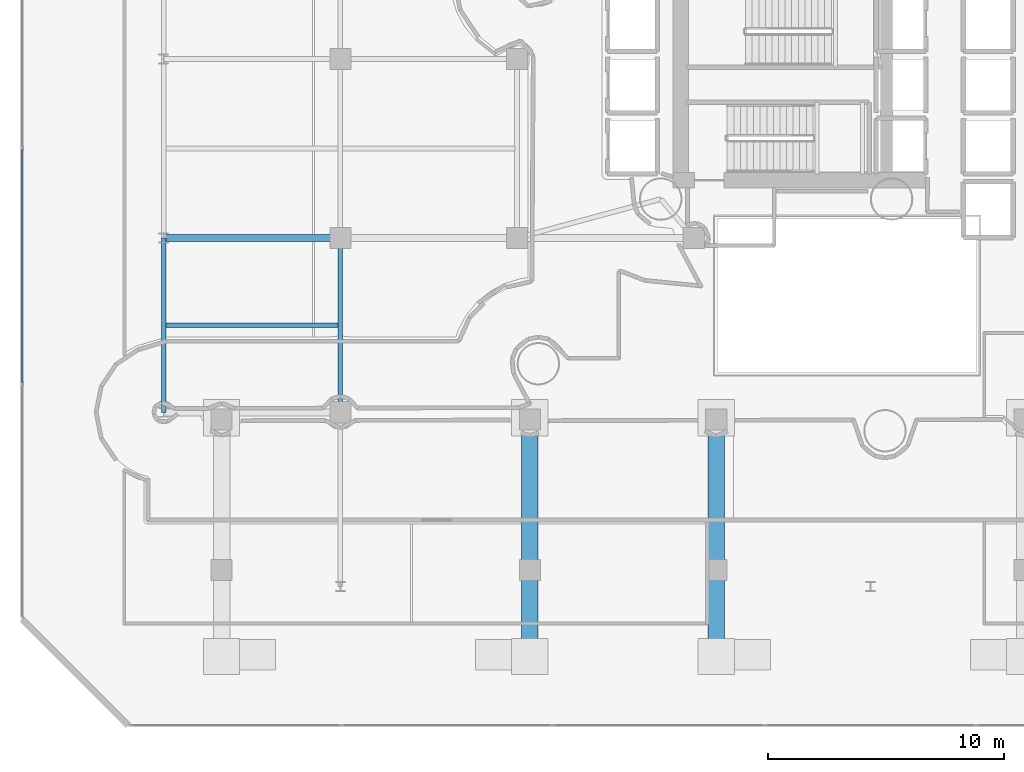
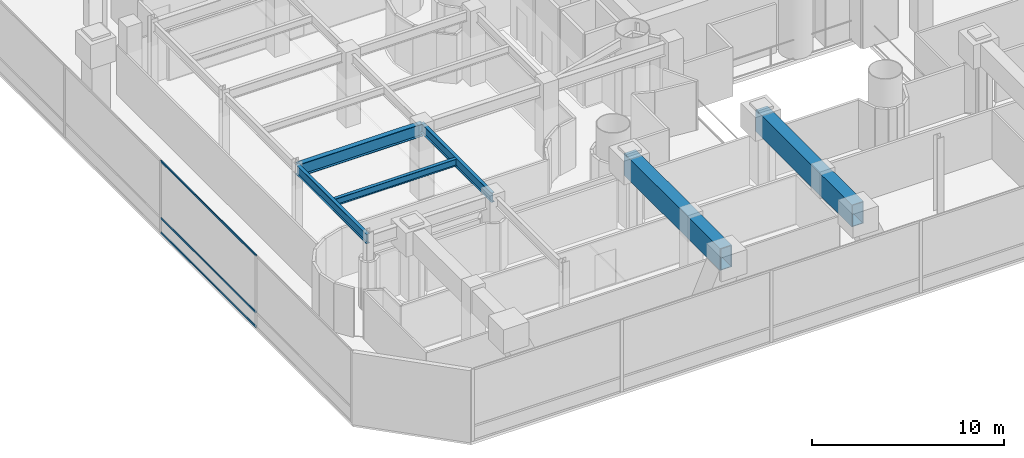
# One storey, part 9 of 45: 6 beams, 3 members, 1 element without a shape of its own.
"""IFC4 building model written with IfcOpenShell, lengths in metres."""

from ifc_helpers import new_model, si_unit, direction, frame, origin, origin_2d, place, context, subcontext, project, spatial, hollow_rectangle, i_section, extrude, material, layer, layer_set, material_profile, profile_set, type_object, element, aggregate, save


model = new_model("IFC4")

# Units and contexts
model_context = context("Model", 3, precision=1e-05, world=origin(), true_north=direction((0.0, 1.0)))
body_context = subcontext(model_context, "Body", "Model", "MODEL_VIEW")
ifc_project = project(units=[si_unit("LENGTHUNIT", "METRE"), si_unit("AREAUNIT", "SQUARE_METRE"), si_unit("VOLUMEUNIT", "CUBIC_METRE"), si_unit("PLANEANGLEUNIT", "RADIAN"), si_unit("MASSUNIT", "GRAM", prefix="KILO")], contexts=[model_context])

# Site, building, storey
site_placement = place(None, origin())
site = spatial("IfcSite", under=ifc_project, at=site_placement, CompositionType="ELEMENT")
building_placement = place(site_placement, origin())
building = spatial("IfcBuilding", under=site, at=building_placement, Name="Qianvela Tower", CompositionType="ELEMENT")
storey_placement = place(building_placement, frame((0.0, 0.0, 11.0)))
storey = spatial("IfcBuildingStorey", under=building, at=storey_placement, Name="L02", CompositionType="ELEMENT", Elevation=11.0)

# Beams
ifc_material_1 = material(Name="Steel Q355B", Category="steel")
ifc_material_profile_1 = material_profile(ifc_material_1, i_section(OverallWidth=0.199951171875, OverallDepth=0.449951171875, WebThickness=0.009033203125, FlangeThickness=0.013916015625, at=origin_2d()), Name="HN450x200x9x14")
ifc_profile_set_1 = profile_set([ifc_material_profile_1], Name="Steel Q355B")
beam_type_1 = type_object("IfcBeamType", Name="BM-HN450-JOIST", PredefinedType="JOIST", material=ifc_profile_set_1)
beam_1_placement = place(storey_placement, frame((7.595947265625, 18.5, 4.35302734375), z_axis=(1.0, 0.0, 0.0), x_axis=(0.0, 1.0, 0.0)))
element("IfcBeam", 1, at=beam_1_placement, inside=storey, type_object=beam_type_1, Name="L02 Secondary Floor Joist 42", PredefinedType="JOIST", context=body_context, shape_type="SweptSolid", body=[
    extrude(i_section(OverallWidth=0.199951171875, OverallDepth=0.449951171875, WebThickness=0.009033203125, FlangeThickness=0.013916015625, at=origin_2d()), origin(), (0.0, 0.0, 1.0), 7.30810546875),
])
ifc_material_2 = material(Name="Steel Q355B", Category="steel")
ifc_material_profile_2 = material_profile(ifc_material_2, i_section(OverallWidth=0.199951171875, OverallDepth=0.60009765625, WebThickness=0.010986328125, FlangeThickness=0.01708984375, at=origin_2d()), Name="HN600x200x11x17")
ifc_profile_set_2 = profile_set([ifc_material_profile_2], Name="Steel Q355B")
beam_type_2 = type_object("IfcBeamType", Name="BM-HN600-GIRD", PredefinedType="BEAM", material=ifc_profile_set_2)
for number, where, z_axis, x_axis, name in (
    (2, (7.5, 14.800048828125, 4.278076171875), (0.0, 1.0, 0.0), (-1.0, 0.0, 0.0), "L02 North-South Grid Girder 16"),
    (3, (15.0, 14.800048828125, 4.278076171875), (0.0, 1.0, 0.0), (-1.0, 0.0, 0.0), "L02 North-South Grid Girder 20"),
):
    element("IfcBeam", number, at=place(storey_placement, frame(where, z_axis=z_axis, x_axis=x_axis)), inside=storey, type_object=beam_type_2, Name=name, PredefinedType="BEAM", context=body_context, shape_type="SweptSolid", body=[
        extrude(i_section(OverallWidth=0.199951171875, OverallDepth=0.60009765625, WebThickness=0.010986328125, FlangeThickness=0.01708984375, at=origin_2d()), origin(), (0.0, 0.0, 1.0), 7.39990234375),
    ])
ifc_material_3 = material(Name="Steel Q355B", Category="steel")
ifc_material_profile_3 = material_profile(ifc_material_3, i_section(OverallWidth=0.300048828125, OverallDepth=0.800048828125, WebThickness=0.013916015625, FlangeThickness=0.02587890625, at=origin_2d()), Name="HN800x300x14x26")
ifc_profile_set_3 = profile_set([ifc_material_profile_3], Name="Steel Q355B")
beam_type_3 = type_object("IfcBeamType", Name="BM-HN800-SPAND", PredefinedType="SPANDREL", material=ifc_profile_set_3)
beam_2_placement = place(storey_placement, frame((7.5, 22.199951171875, 4.177978515625), z_axis=(1.0, 0.0, 0.0), x_axis=(0.0, 1.0, 0.0)))
element("IfcBeam", 4, at=beam_2_placement, inside=storey, type_object=beam_type_3, Name="L02 East-West Grid Girder 3", PredefinedType="SPANDREL", context=body_context, shape_type="SweptSolid", body=[
    extrude(i_section(OverallWidth=0.300048828125, OverallDepth=0.800048828125, WebThickness=0.013916015625, FlangeThickness=0.02587890625, at=origin_2d()), origin(), (0.0, 0.0, 1.0), 7.5),
])
ifc_material_4 = material(Name="Steel Q420GJC", Category="steel")
ifc_material_profile_4 = material_profile(ifc_material_4, hollow_rectangle(XDim=0.699951171875, YDim=1.39990234375, WallThickness=0.0400390625, at=origin_2d()), Name="TG-BOX-1400x700x40")
ifc_profile_set_4 = profile_set([ifc_material_profile_4], Name="Steel Q420GJC")
beam_type_4 = type_object("IfcBeamType", Name="BM-TG-STEP-1400", PredefinedType="BEAM", material=ifc_profile_set_4)
for number, where, z_axis, x_axis, name in (
    (5, (23.044677734375, 14.5, 3.8779296875), (0.0, -1.0, 0.0), (1.0, 0.0, 0.0), "L02 Concourse V-Cap Transfer Girder VC-S1-R"),
    (6, (30.955322265625, 14.5, 3.8779296875), (0.0, -1.0, 0.0), (1.0, 0.0, 0.0), "L02 Concourse V-Cap Transfer Girder VC-S2-L"),
):
    element("IfcBeam", number, at=place(storey_placement, frame(where, z_axis=z_axis, x_axis=x_axis)), inside=storey, type_object=beam_type_4, Name=name, PredefinedType="BEAM", context=body_context, shape_type="SweptSolid", body=[
        extrude(hollow_rectangle(XDim=0.699951171875, YDim=1.39990234375, WallThickness=0.0400390625, at=origin_2d()), origin(), (0.0, 0.0, 1.0), 10.0),
    ])

# Curtain wall, members
ifc_material_5 = material(Name="Anodised Architectural Aluminium and Low-E Glass", Category="aluminium")
ifc_layer = layer(ifc_material_5, 0.179931640625)
ifc_layer_set = layer_set([ifc_layer], Name="Anodised Architectural Aluminium and Low-E Glass")
curtain_wall_type = type_object("IfcCurtainWallType", Name="CW-COMMONS", PredefinedType="USERDEFINED", material=ifc_layer_set)
curtain_wall_placement = place(storey_placement, origin())
curtain_wall = element("IfcCurtainWall", 7, at=curtain_wall_placement, inside=storey, type_object=curtain_wall_type, Name="L02 CW-COMMONS Curtain Wall 07", ObjectType="CURTAIN_WALL_SYSTEM", PredefinedType="USERDEFINED")
ifc_material_6 = material(Name="Anodised Architectural Aluminium 6063-T6", Category="aluminium")
ifc_material_profile_5 = material_profile(ifc_material_6, hollow_rectangle(XDim=0.06005859375, YDim=0.114990234375, WallThickness=0.00390625, at=origin_2d()), Name="ALU-TRAN-60x115")
ifc_profile_set_5 = profile_set([ifc_material_profile_5], Name="Anodised Architectural Aluminium 6063-T6")
member_type = type_object("IfcMemberType", Name="CW-COMMONS-TRAN", PredefinedType="USERDEFINED", material=ifc_profile_set_5)
member_1_placement = place(storey_placement, frame((1.5, 25.965087890625, 0.030029296875), z_axis=(0.0, -1.0, 0.0), x_axis=(1.0, 0.0, 0.0)))
member_1 = element("IfcMember", 8, at=member_1_placement, type_object=member_type, Name="CW-2 transom 3.1", ObjectType="TRANSOM", PredefinedType="USERDEFINED", context=body_context, shape_type="SweptSolid", body=[
    extrude(hollow_rectangle(XDim=0.06005859375, YDim=0.114990234375, WallThickness=0.00390625, at=origin_2d()), origin(), (0.0, 0.0, 1.0), 9.905029296875),
])
member_2_placement = place(storey_placement, frame((1.5, 25.965087890625, 0.949951171875), z_axis=(0.0, -1.0, 0.0), x_axis=(1.0, 0.0, 0.0)))
member_2 = element("IfcMember", 9, at=member_2_placement, type_object=member_type, Name="CW-2 transom 3.2", ObjectType="TRANSOM", PredefinedType="USERDEFINED", context=body_context, shape_type="SweptSolid", body=[
    extrude(hollow_rectangle(XDim=0.06005859375, YDim=0.114990234375, WallThickness=0.00390625, at=origin_2d()), origin(), (0.0, 0.0, 1.0), 9.905029296875),
])
member_3_placement = place(storey_placement, frame((1.5, 25.965087890625, 4.550048828125), z_axis=(0.0, -1.0, 0.0), x_axis=(1.0, 0.0, 0.0)))
member_3 = element("IfcMember", 10, at=member_3_placement, type_object=member_type, Name="CW-2 transom 3.3", ObjectType="TRANSOM", PredefinedType="USERDEFINED", context=body_context, shape_type="SweptSolid", body=[
    extrude(hollow_rectangle(XDim=0.06005859375, YDim=0.114990234375, WallThickness=0.00390625, at=origin_2d()), origin(), (0.0, 0.0, 1.0), 9.905029296875),
])
aggregate(curtain_wall, [member_1, member_2, member_3])

save(model, "model.ifc")
